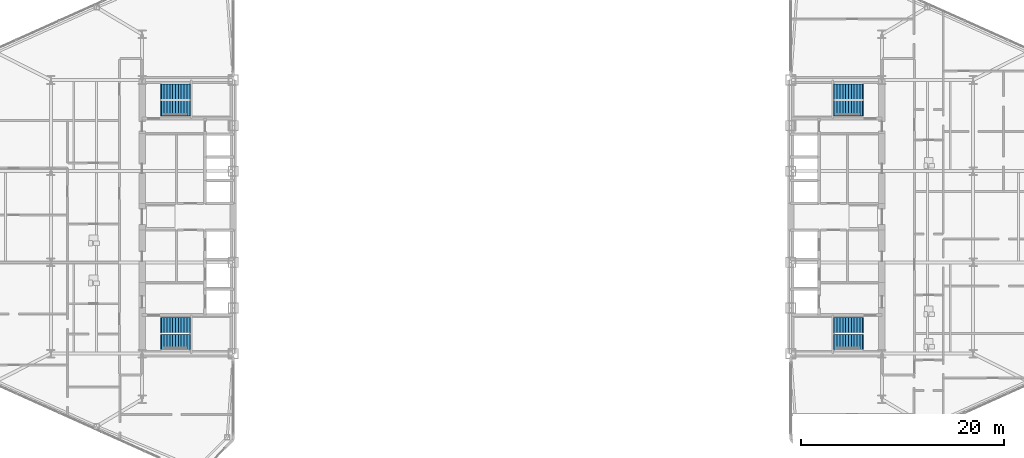
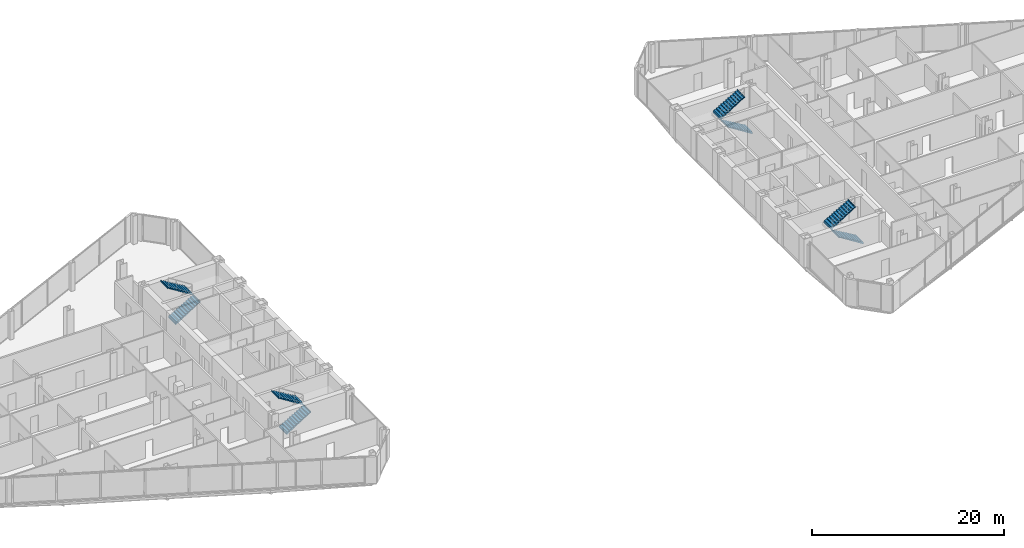
# One storey, part 25 of 27: 8 stair flights, 4 elements without a shape of their own.
"""IFC4 building model written with IfcOpenShell, lengths in metres."""

from ifc_helpers import new_model, si_unit, direction, frame, origin, place, context, subcontext, project, spatial, polyline, outline, extrude, material, type_object, element, aggregate, save


model = new_model("IFC4")

# Units and contexts
model_context = context("Model", 3, precision=1e-05, world=origin(), true_north=direction((0.0, 1.0)))
body_context = subcontext(model_context, "Body", "Model", "MODEL_VIEW")
ifc_project = project(units=[si_unit("LENGTHUNIT", "METRE"), si_unit("AREAUNIT", "SQUARE_METRE"), si_unit("VOLUMEUNIT", "CUBIC_METRE"), si_unit("PLANEANGLEUNIT", "RADIAN"), si_unit("MASSUNIT", "GRAM", prefix="KILO")], contexts=[model_context])

# Site, building, storey
site_placement = place(None, origin())
site = spatial("IfcSite", under=ifc_project, at=site_placement, CompositionType="ELEMENT")
building_placement = place(site_placement, origin())
building = spatial("IfcBuilding", under=site, at=building_placement, Name="Seokmaru Belvedere", CompositionType="ELEMENT")
storey_placement = place(building_placement, frame((0.0, 0.0, 65.699951171875)))
storey = spatial("IfcBuildingStorey", under=building, at=storey_placement, Name="L17", CompositionType="ELEMENT", Elevation=65.699951171875)

# Stair, stair flights
ifc_material = material(Name="Concrete C40 (40 MPa)", Category="concrete")
stair_type = type_object("IfcStairType", Name="Typical Tower Core Dog-Leg Stair 3600", PredefinedType="TWO_STRAIGHT_RUN_STAIR", material=ifc_material)
stair_1_placement = place(storey_placement, origin())
stair_1 = element("IfcStair", 1, at=stair_1_placement, inside=storey, type_object=stair_type, Name="L17 Special Escape Stair ST-W1", PredefinedType="TWO_STRAIGHT_RUN_STAIR")
stair_flight_type = type_object("IfcStairFlightType", Name="Reinforced Concrete Stair Flight 1500", PredefinedType="STRAIGHT", material=ifc_material)
stair_flight_1_placement = place(storey_placement, frame((-34.60009765625, -12.35009765625, 0.0), z_axis=(0.0, 0.0, 1.0), x_axis=(1.0, 0.0, 0.0)))
stair_flight_1 = element("IfcStairFlight", 2, at=stair_flight_1_placement, type_object=stair_flight_type, Name="ST-W1 flight 1", NumberOfRisers=11, NumberOfTreads=10, PredefinedType="STRAIGHT", RiserHeight=0.163636364, TreadLength=0.28, context=body_context, shape_type="SweptSolid", body=[
    extrude(outline(polyline([(-0.080078125, 0.0), (0.0, 0.16357421875), (0.280029296875, 0.16357421875), (0.280029296875, 0.327392578125), (0.56005859375, 0.327392578125), (0.56005859375, 0.490966796875), (0.840087890625, 0.490966796875), (0.840087890625, 0.654541015625), (1.1201171875, 0.654541015625), (1.1201171875, 0.818115234375), (1.39990234375, 0.818115234375), (1.39990234375, 0.98193359375), (1.679931640625, 0.98193359375), (1.679931640625, 1.1455078125), (1.9599609375, 1.1455078125), (1.9599609375, 1.30908203125), (2.239990234375, 1.30908203125), (2.239990234375, 1.47265625), (2.52001953125, 1.47265625), (2.52001953125, 1.636474609375), (2.800048828125, 1.636474609375), (2.800048828125, 1.800048828125), (2.8798828125, 1.800048828125), (2.8798828125, 1.610107421875), (2.800048828125, 1.610107421875), (0.0, -0.159912109375), (-0.080078125, -0.159912109375), (-0.080078125, 0.0)])), frame((0.0, 0.75, 0.0), z_axis=(0.0, -1.0, 0.0), x_axis=(1.0, 0.0, 0.0)), (0.0, 0.0, 1.0), 1.5),
])
stair_flight_2_placement = place(storey_placement, frame((-31.800048828125, -10.7099609375, 1.800048828125), z_axis=(0.0, 0.0, 1.0), x_axis=(-1.0, 0.0, 0.0)))
stair_flight_2 = element("IfcStairFlight", 3, at=stair_flight_2_placement, type_object=stair_flight_type, Name="ST-W1 flight 2", NumberOfRisers=11, NumberOfTreads=10, PredefinedType="STRAIGHT", RiserHeight=0.163636364, TreadLength=0.28, context=body_context, shape_type="SweptSolid", body=[
    extrude(outline(polyline([(-0.080078125, 0.0), (0.0, 0.16357421875), (0.280029296875, 0.16357421875), (0.280029296875, 0.327392578125), (0.56005859375, 0.327392578125), (0.56005859375, 0.490966796875), (0.840087890625, 0.490966796875), (0.840087890625, 0.654541015625), (1.1201171875, 0.654541015625), (1.1201171875, 0.818115234375), (1.39990234375, 0.818115234375), (1.39990234375, 0.98193359375), (1.679931640625, 0.98193359375), (1.679931640625, 1.1455078125), (1.9599609375, 1.1455078125), (1.9599609375, 1.30908203125), (2.239990234375, 1.30908203125), (2.239990234375, 1.47265625), (2.52001953125, 1.47265625), (2.52001953125, 1.636474609375), (2.800048828125, 1.636474609375), (2.800048828125, 1.800048828125), (2.8798828125, 1.800048828125), (2.8798828125, 1.610107421875), (2.800048828125, 1.610107421875), (0.0, -0.159912109375), (-0.080078125, -0.159912109375), (-0.080078125, 0.0)])), frame((0.0, 0.75, 0.0), z_axis=(0.0, -1.0, 0.0), x_axis=(1.0, 0.0, 0.0)), (0.0, 0.0, 1.0), 1.5),
])
aggregate(stair_1, [stair_flight_1, stair_flight_2])

stair_2_placement = place(storey_placement, origin())
stair_2 = element("IfcStair", 4, at=stair_2_placement, inside=storey, type_object=stair_type, Name="L17 Special Escape Stair ST-W2", PredefinedType="TWO_STRAIGHT_RUN_STAIR")
stair_flight_3_placement = place(storey_placement, frame((-34.60009765625, 10.7099609375, 0.0), z_axis=(0.0, 0.0, 1.0), x_axis=(1.0, 0.0, 0.0)))
stair_flight_3 = element("IfcStairFlight", 5, at=stair_flight_3_placement, type_object=stair_flight_type, Name="ST-W2 flight 1", NumberOfRisers=11, NumberOfTreads=10, PredefinedType="STRAIGHT", RiserHeight=0.163636364, TreadLength=0.28, context=body_context, shape_type="SweptSolid", body=[
    extrude(outline(polyline([(-0.080078125, 0.0), (0.0, 0.16357421875), (0.280029296875, 0.16357421875), (0.280029296875, 0.327392578125), (0.56005859375, 0.327392578125), (0.56005859375, 0.490966796875), (0.840087890625, 0.490966796875), (0.840087890625, 0.654541015625), (1.1201171875, 0.654541015625), (1.1201171875, 0.818115234375), (1.39990234375, 0.818115234375), (1.39990234375, 0.98193359375), (1.679931640625, 0.98193359375), (1.679931640625, 1.1455078125), (1.9599609375, 1.1455078125), (1.9599609375, 1.30908203125), (2.239990234375, 1.30908203125), (2.239990234375, 1.47265625), (2.52001953125, 1.47265625), (2.52001953125, 1.636474609375), (2.800048828125, 1.636474609375), (2.800048828125, 1.800048828125), (2.8798828125, 1.800048828125), (2.8798828125, 1.610107421875), (2.800048828125, 1.610107421875), (0.0, -0.159912109375), (-0.080078125, -0.159912109375), (-0.080078125, 0.0)])), frame((0.0, 0.75, 0.0), z_axis=(0.0, -1.0, 0.0), x_axis=(1.0, 0.0, 0.0)), (0.0, 0.0, 1.0), 1.5),
])
stair_flight_4_placement = place(storey_placement, frame((-31.800048828125, 12.35009765625, 1.800048828125), z_axis=(0.0, 0.0, 1.0), x_axis=(-1.0, 0.0, 0.0)))
stair_flight_4 = element("IfcStairFlight", 6, at=stair_flight_4_placement, type_object=stair_flight_type, Name="ST-W2 flight 2", NumberOfRisers=11, NumberOfTreads=10, PredefinedType="STRAIGHT", RiserHeight=0.163636364, TreadLength=0.28, context=body_context, shape_type="SweptSolid", body=[
    extrude(outline(polyline([(-0.080078125, 0.0), (0.0, 0.16357421875), (0.280029296875, 0.16357421875), (0.280029296875, 0.327392578125), (0.56005859375, 0.327392578125), (0.56005859375, 0.490966796875), (0.840087890625, 0.490966796875), (0.840087890625, 0.654541015625), (1.1201171875, 0.654541015625), (1.1201171875, 0.818115234375), (1.39990234375, 0.818115234375), (1.39990234375, 0.98193359375), (1.679931640625, 0.98193359375), (1.679931640625, 1.1455078125), (1.9599609375, 1.1455078125), (1.9599609375, 1.30908203125), (2.239990234375, 1.30908203125), (2.239990234375, 1.47265625), (2.52001953125, 1.47265625), (2.52001953125, 1.636474609375), (2.800048828125, 1.636474609375), (2.800048828125, 1.800048828125), (2.8798828125, 1.800048828125), (2.8798828125, 1.610107421875), (2.800048828125, 1.610107421875), (0.0, -0.159912109375), (-0.080078125, -0.159912109375), (-0.080078125, 0.0)])), frame((0.0, 0.75, 0.0), z_axis=(0.0, -1.0, 0.0), x_axis=(1.0, 0.0, 0.0)), (0.0, 0.0, 1.0), 1.5),
])
aggregate(stair_2, [stair_flight_3, stair_flight_4])

stair_3_placement = place(storey_placement, origin())
stair_3 = element("IfcStair", 7, at=stair_3_placement, inside=storey, type_object=stair_type, Name="L17 Special Escape Stair ST-E1", PredefinedType="TWO_STRAIGHT_RUN_STAIR")
stair_flight_5_placement = place(storey_placement, frame((34.60009765625, -12.35009765625, 0.0), z_axis=(0.0, 0.0, 1.0), x_axis=(-1.0, 0.0, 0.0)))
stair_flight_5 = element("IfcStairFlight", 8, at=stair_flight_5_placement, type_object=stair_flight_type, Name="ST-E1 flight 1", NumberOfRisers=11, NumberOfTreads=10, PredefinedType="STRAIGHT", RiserHeight=0.163636364, TreadLength=0.28, context=body_context, shape_type="SweptSolid", body=[
    extrude(outline(polyline([(-0.080078125, 0.0), (0.0, 0.16357421875), (0.280029296875, 0.16357421875), (0.280029296875, 0.327392578125), (0.56005859375, 0.327392578125), (0.56005859375, 0.490966796875), (0.840087890625, 0.490966796875), (0.840087890625, 0.654541015625), (1.1201171875, 0.654541015625), (1.1201171875, 0.818115234375), (1.39990234375, 0.818115234375), (1.39990234375, 0.98193359375), (1.679931640625, 0.98193359375), (1.679931640625, 1.1455078125), (1.9599609375, 1.1455078125), (1.9599609375, 1.30908203125), (2.239990234375, 1.30908203125), (2.239990234375, 1.47265625), (2.52001953125, 1.47265625), (2.52001953125, 1.636474609375), (2.800048828125, 1.636474609375), (2.800048828125, 1.800048828125), (2.8798828125, 1.800048828125), (2.8798828125, 1.610107421875), (2.800048828125, 1.610107421875), (0.0, -0.159912109375), (-0.080078125, -0.159912109375), (-0.080078125, 0.0)])), frame((0.0, 0.75, 0.0), z_axis=(0.0, -1.0, 0.0), x_axis=(1.0, 0.0, 0.0)), (0.0, 0.0, 1.0), 1.5),
])
stair_flight_6_placement = place(storey_placement, frame((31.800048828125, -10.7099609375, 1.800048828125), z_axis=(0.0, 0.0, 1.0), x_axis=(1.0, 0.0, 0.0)))
stair_flight_6 = element("IfcStairFlight", 9, at=stair_flight_6_placement, type_object=stair_flight_type, Name="ST-E1 flight 2", NumberOfRisers=11, NumberOfTreads=10, PredefinedType="STRAIGHT", RiserHeight=0.163636364, TreadLength=0.28, context=body_context, shape_type="SweptSolid", body=[
    extrude(outline(polyline([(-0.080078125, 0.0), (0.0, 0.16357421875), (0.280029296875, 0.16357421875), (0.280029296875, 0.327392578125), (0.56005859375, 0.327392578125), (0.56005859375, 0.490966796875), (0.840087890625, 0.490966796875), (0.840087890625, 0.654541015625), (1.1201171875, 0.654541015625), (1.1201171875, 0.818115234375), (1.39990234375, 0.818115234375), (1.39990234375, 0.98193359375), (1.679931640625, 0.98193359375), (1.679931640625, 1.1455078125), (1.9599609375, 1.1455078125), (1.9599609375, 1.30908203125), (2.239990234375, 1.30908203125), (2.239990234375, 1.47265625), (2.52001953125, 1.47265625), (2.52001953125, 1.636474609375), (2.800048828125, 1.636474609375), (2.800048828125, 1.800048828125), (2.8798828125, 1.800048828125), (2.8798828125, 1.610107421875), (2.800048828125, 1.610107421875), (0.0, -0.159912109375), (-0.080078125, -0.159912109375), (-0.080078125, 0.0)])), frame((0.0, 0.75, 0.0), z_axis=(0.0, -1.0, 0.0), x_axis=(1.0, 0.0, 0.0)), (0.0, 0.0, 1.0), 1.5),
])
aggregate(stair_3, [stair_flight_5, stair_flight_6])

stair_4_placement = place(storey_placement, origin())
stair_4 = element("IfcStair", 10, at=stair_4_placement, inside=storey, type_object=stair_type, Name="L17 Special Escape Stair ST-E2", PredefinedType="TWO_STRAIGHT_RUN_STAIR")
stair_flight_7_placement = place(storey_placement, frame((34.60009765625, 10.7099609375, 0.0), z_axis=(0.0, 0.0, 1.0), x_axis=(-1.0, 0.0, 0.0)))
stair_flight_7 = element("IfcStairFlight", 11, at=stair_flight_7_placement, type_object=stair_flight_type, Name="ST-E2 flight 1", NumberOfRisers=11, NumberOfTreads=10, PredefinedType="STRAIGHT", RiserHeight=0.163636364, TreadLength=0.28, context=body_context, shape_type="SweptSolid", body=[
    extrude(outline(polyline([(-0.080078125, 0.0), (0.0, 0.16357421875), (0.280029296875, 0.16357421875), (0.280029296875, 0.327392578125), (0.56005859375, 0.327392578125), (0.56005859375, 0.490966796875), (0.840087890625, 0.490966796875), (0.840087890625, 0.654541015625), (1.1201171875, 0.654541015625), (1.1201171875, 0.818115234375), (1.39990234375, 0.818115234375), (1.39990234375, 0.98193359375), (1.679931640625, 0.98193359375), (1.679931640625, 1.1455078125), (1.9599609375, 1.1455078125), (1.9599609375, 1.30908203125), (2.239990234375, 1.30908203125), (2.239990234375, 1.47265625), (2.52001953125, 1.47265625), (2.52001953125, 1.636474609375), (2.800048828125, 1.636474609375), (2.800048828125, 1.800048828125), (2.8798828125, 1.800048828125), (2.8798828125, 1.610107421875), (2.800048828125, 1.610107421875), (0.0, -0.159912109375), (-0.080078125, -0.159912109375), (-0.080078125, 0.0)])), frame((0.0, 0.75, 0.0), z_axis=(0.0, -1.0, 0.0), x_axis=(1.0, 0.0, 0.0)), (0.0, 0.0, 1.0), 1.5),
])
stair_flight_8_placement = place(storey_placement, frame((31.800048828125, 12.35009765625, 1.800048828125), z_axis=(0.0, 0.0, 1.0), x_axis=(1.0, 0.0, 0.0)))
stair_flight_8 = element("IfcStairFlight", 12, at=stair_flight_8_placement, type_object=stair_flight_type, Name="ST-E2 flight 2", NumberOfRisers=11, NumberOfTreads=10, PredefinedType="STRAIGHT", RiserHeight=0.163636364, TreadLength=0.28, context=body_context, shape_type="SweptSolid", body=[
    extrude(outline(polyline([(-0.080078125, 0.0), (0.0, 0.16357421875), (0.280029296875, 0.16357421875), (0.280029296875, 0.327392578125), (0.56005859375, 0.327392578125), (0.56005859375, 0.490966796875), (0.840087890625, 0.490966796875), (0.840087890625, 0.654541015625), (1.1201171875, 0.654541015625), (1.1201171875, 0.818115234375), (1.39990234375, 0.818115234375), (1.39990234375, 0.98193359375), (1.679931640625, 0.98193359375), (1.679931640625, 1.1455078125), (1.9599609375, 1.1455078125), (1.9599609375, 1.30908203125), (2.239990234375, 1.30908203125), (2.239990234375, 1.47265625), (2.52001953125, 1.47265625), (2.52001953125, 1.636474609375), (2.800048828125, 1.636474609375), (2.800048828125, 1.800048828125), (2.8798828125, 1.800048828125), (2.8798828125, 1.610107421875), (2.800048828125, 1.610107421875), (0.0, -0.159912109375), (-0.080078125, -0.159912109375), (-0.080078125, 0.0)])), frame((0.0, 0.75, 0.0), z_axis=(0.0, -1.0, 0.0), x_axis=(1.0, 0.0, 0.0)), (0.0, 0.0, 1.0), 1.5),
])
aggregate(stair_4, [stair_flight_7, stair_flight_8])

save(model, "model.ifc")
